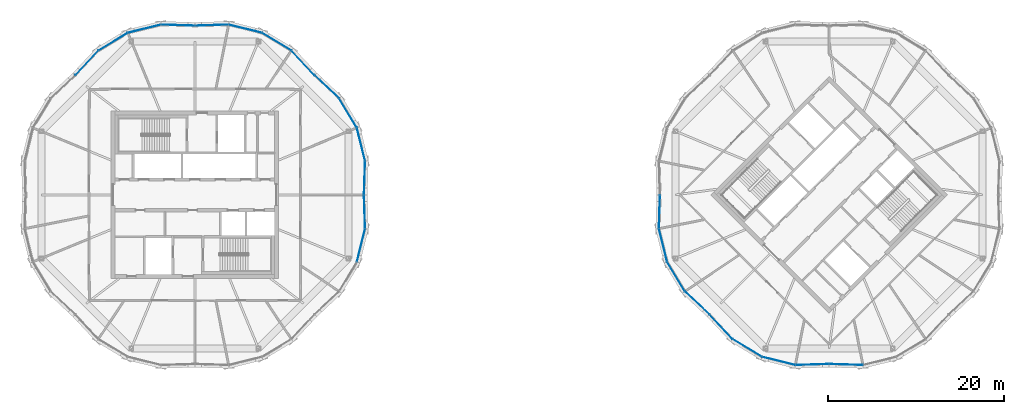
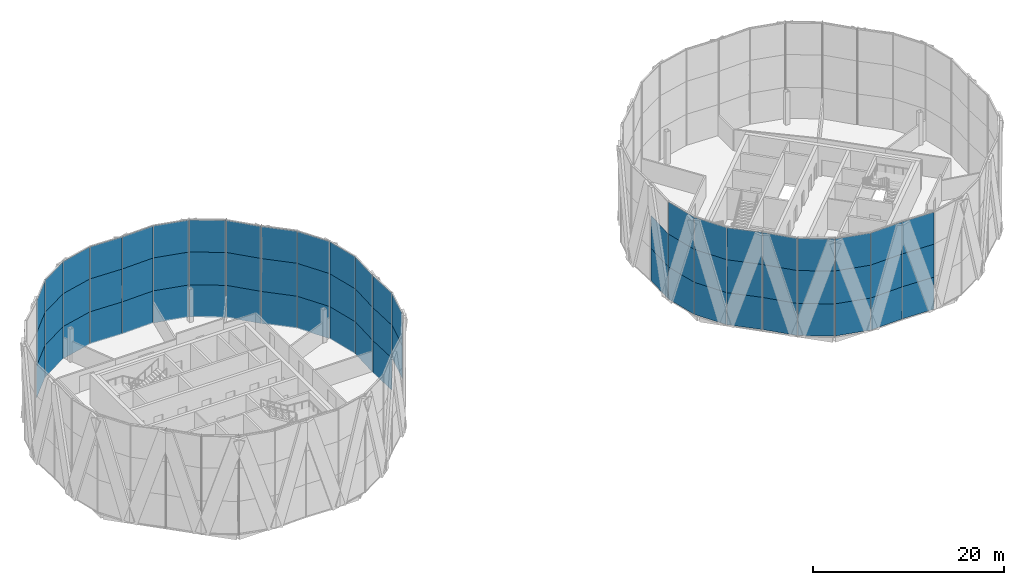
# One storey, part 13 of 23: 67 plates, 7 elements without a shape of their own.
"""IFC4 building model written with IfcOpenShell, lengths in metres."""

from ifc_helpers import new_model, si_unit, direction, frame, origin, origin_2d, place, context, subcontext, project, spatial, rectangle, extrude, material, layer, layer_set, type_object, element, aggregate, save


model = new_model("IFC4")

# Units and contexts
model_context = context("Model", 3, precision=1e-05, world=origin(), true_north=direction((0.0, 1.0)))
body_context = subcontext(model_context, "Body", "Model", "MODEL_VIEW")
ifc_project = project(units=[si_unit("LENGTHUNIT", "METRE"), si_unit("AREAUNIT", "SQUARE_METRE"), si_unit("VOLUMEUNIT", "CUBIC_METRE"), si_unit("PLANEANGLEUNIT", "RADIAN"), si_unit("MASSUNIT", "GRAM", prefix="KILO")], contexts=[model_context])

# Site, building, storey
site_placement = place(None, origin())
site = spatial("IfcSite", under=ifc_project, at=site_placement, CompositionType="ELEMENT")
building_placement = place(site_placement, origin())
building = spatial("IfcBuilding", under=site, at=building_placement, Name="Ogive Gate Towers", CompositionType="ELEMENT")
storey_placement = place(building_placement, frame((0.0, 0.0, 256.199951171875)))
storey = spatial("IfcBuildingStorey", under=building, at=storey_placement, Name="L60", CompositionType="ELEMENT", Elevation=256.199951171875)

# Curtain wall, plates
ifc_material_1 = material(Name="Pale metal aluminium", Category="aluminium")
curtain_wall_type = type_object("IfcCurtainWallType", Name="Tower unitised wall, high zone", PredefinedType="NOTDEFINED", material=ifc_material_1)
curtain_wall_1_placement = place(storey_placement, origin())
curtain_wall_1 = element("IfcCurtainWall", 1, at=curtain_wall_1_placement, inside=storey, type_object=curtain_wall_type, Name="CW2 T1 ECW01", PredefinedType="NOTDEFINED")
ifc_material_2 = material(Name="Clear glass", Category="glass")
ifc_layer = layer(ifc_material_2, 0.028076171875)
ifc_layer_set = layer_set([ifc_layer], Name="Tower unitised wall, high zone glass panel")
plate_type = type_object("IfcPlateType", Name="Tower unitised wall, high zone glass panel", PredefinedType="CURTAIN_PANEL", material=ifc_layer_set)
plate_1_placement = place(storey_placement, frame((-16.738037109375, 1.915283203125, -0.203857421875), z_axis=(0.0, 0.0, 1.0), x_axis=(0.032248092615, 0.999479895007, 0.0)))
plate_1 = element("IfcPlate", 2, at=plate_1_placement, type_object=plate_type, Name="CW2 glass panel", PredefinedType="CURTAIN_PANEL", context=body_context, shape_type="SweptSolid", body=[
    extrude(rectangle(XDim=3.778564453125, YDim=0.028076171875, at=origin_2d()), origin(), (0.0, 0.0, 1.0), 4.10400390625),
])
plate_2_placement = place(storey_placement, frame((-16.738037109375, 1.915283203125, 3.89990234375), z_axis=(0.0, 0.0, 1.0), x_axis=(0.032248092615, 0.999479895007, 0.0)))
plate_2 = element("IfcPlate", 3, at=plate_2_placement, type_object=plate_type, Name="CW2 glass panel", PredefinedType="CURTAIN_PANEL", context=body_context, shape_type="SweptSolid", body=[
    extrude(rectangle(XDim=3.778564453125, YDim=0.028076171875, at=origin_2d()), origin(), (0.0, 0.0, 1.0), 4.199951171875),
])
plate_3_placement = place(storey_placement, frame((-16.738037109375, 1.915283203125, 8.10009765625), z_axis=(0.0, 0.0, 1.0), x_axis=(0.032248092615, 0.999479895007, 0.0)))
plate_3 = element("IfcPlate", 4, at=plate_3_placement, type_object=plate_type, Name="CW2 glass panel", PredefinedType="CURTAIN_PANEL", context=body_context, shape_type="SweptSolid", body=[
    extrude(rectangle(XDim=3.778564453125, YDim=0.028076171875, at=origin_2d()), origin(), (0.0, 0.0, 1.0), 4.10400390625),
])
plate_4_placement = place(storey_placement, frame((-17.14501953125, 5.72509765625, -0.203857421875), z_axis=(0.0, 0.0, 1.0), x_axis=(-0.240668514894, 0.970607369609, 0.0)))
plate_4 = element("IfcPlate", 5, at=plate_4_placement, type_object=plate_type, Name="CW2 glass panel", PredefinedType="CURTAIN_PANEL", context=body_context, shape_type="SweptSolid", body=[
    extrude(rectangle(XDim=3.833984375, YDim=0.028076171875, at=origin_2d()), origin(), (0.0, 0.0, 1.0), 4.10400390625),
])
plate_5_placement = place(storey_placement, frame((-17.14501953125, 5.72509765625, 3.89990234375), z_axis=(0.0, 0.0, 1.0), x_axis=(-0.240668514894, 0.970607369609, 0.0)))
plate_5 = element("IfcPlate", 6, at=plate_5_placement, type_object=plate_type, Name="CW2 glass panel", PredefinedType="CURTAIN_PANEL", context=body_context, shape_type="SweptSolid", body=[
    extrude(rectangle(XDim=3.833984375, YDim=0.028076171875, at=origin_2d()), origin(), (0.0, 0.0, 1.0), 4.199951171875),
])
plate_6_placement = place(storey_placement, frame((-17.14501953125, 5.72509765625, 8.10009765625), z_axis=(0.0, 0.0, 1.0), x_axis=(-0.240668514894, 0.970607369609, 0.0)))
plate_6 = element("IfcPlate", 7, at=plate_6_placement, type_object=plate_type, Name="CW2 glass panel", PredefinedType="CURTAIN_PANEL", context=body_context, shape_type="SweptSolid", body=[
    extrude(rectangle(XDim=3.833984375, YDim=0.028076171875, at=origin_2d()), origin(), (0.0, 0.0, 1.0), 4.10400390625),
])
plate_7_placement = place(storey_placement, frame((-18.619384765625, 9.2841796875, -0.203857421875), z_axis=(0.0, 0.0, 1.0), x_axis=(-0.51614471402, 0.85650139182, 0.0)))
plate_7 = element("IfcPlate", 8, at=plate_7_placement, type_object=plate_type, Name="CW2 glass panel", PredefinedType="CURTAIN_PANEL", context=body_context, shape_type="SweptSolid", body=[
    extrude(rectangle(XDim=3.833984375, YDim=0.028076171875, at=origin_2d()), origin(), (0.0, 0.0, 1.0), 4.10400390625),
])
plate_8_placement = place(storey_placement, frame((-18.619384765625, 9.2841796875, 3.89990234375), z_axis=(0.0, 0.0, 1.0), x_axis=(-0.51614471402, 0.85650139182, 0.0)))
plate_8 = element("IfcPlate", 9, at=plate_8_placement, type_object=plate_type, Name="CW2 glass panel", PredefinedType="CURTAIN_PANEL", context=body_context, shape_type="SweptSolid", body=[
    extrude(rectangle(XDim=3.833984375, YDim=0.028076171875, at=origin_2d()), origin(), (0.0, 0.0, 1.0), 4.199951171875),
])
plate_9_placement = place(storey_placement, frame((-18.619384765625, 9.2841796875, 8.10009765625), z_axis=(0.0, 0.0, 1.0), x_axis=(-0.51614471402, 0.85650139182, 0.0)))
plate_9 = element("IfcPlate", 10, at=plate_9_placement, type_object=plate_type, Name="CW2 glass panel", PredefinedType="CURTAIN_PANEL", context=body_context, shape_type="SweptSolid", body=[
    extrude(rectangle(XDim=3.833984375, YDim=0.028076171875, at=origin_2d()), origin(), (0.0, 0.0, 1.0), 4.10400390625),
])
plate_10_placement = place(storey_placement, frame((-21.025390625, 12.265869140625, -0.203857421875), z_axis=(0.0, 0.0, 1.0), x_axis=(-0.729541856388, 0.68393616645, 0.0)))
plate_10 = element("IfcPlate", 11, at=plate_10_placement, type_object=plate_type, Name="CW2 glass panel", PredefinedType="CURTAIN_PANEL", context=body_context, shape_type="SweptSolid", body=[
    extrude(rectangle(XDim=3.7783203125, YDim=0.028076171875, at=origin_2d()), origin(), (0.0, 0.0, 1.0), 4.10400390625),
])
plate_11_placement = place(storey_placement, frame((-21.025390625, 12.265869140625, 3.89990234375), z_axis=(0.0, 0.0, 1.0), x_axis=(-0.729541856388, 0.68393616645, 0.0)))
plate_11 = element("IfcPlate", 12, at=plate_11_placement, type_object=plate_type, Name="CW2 glass panel", PredefinedType="CURTAIN_PANEL", context=body_context, shape_type="SweptSolid", body=[
    extrude(rectangle(XDim=3.7783203125, YDim=0.028076171875, at=origin_2d()), origin(), (0.0, 0.0, 1.0), 4.199951171875),
])
plate_12_placement = place(storey_placement, frame((-21.025390625, 12.265869140625, 8.10009765625), z_axis=(0.0, 0.0, 1.0), x_axis=(-0.729541856388, 0.68393616645, 0.0)))
plate_12 = element("IfcPlate", 13, at=plate_12_placement, type_object=plate_type, Name="CW2 glass panel", PredefinedType="CURTAIN_PANEL", context=body_context, shape_type="SweptSolid", body=[
    extrude(rectangle(XDim=3.7783203125, YDim=0.028076171875, at=origin_2d()), origin(), (0.0, 0.0, 1.0), 4.10400390625),
])
aggregate(curtain_wall_1, [plate_1, plate_2, plate_3, plate_4, plate_5, plate_6, plate_7, plate_8, plate_9, plate_10, plate_11, plate_12])

curtain_wall_2_placement = place(storey_placement, origin())
curtain_wall_2 = element("IfcCurtainWall", 14, at=curtain_wall_2_placement, inside=storey, type_object=curtain_wall_type, Name="CW2 T1 ECW02", PredefinedType="NOTDEFINED")
plate_13_placement = place(storey_placement, frame((-23.734130859375, 14.974609375, -0.203857421875), z_axis=(0.0, 0.0, 1.0), x_axis=(-0.68393616645, 0.729541856388, 0.0)))
plate_13 = element("IfcPlate", 15, at=plate_13_placement, type_object=plate_type, Name="CW2 glass panel", PredefinedType="CURTAIN_PANEL", context=body_context, shape_type="SweptSolid", body=[
    extrude(rectangle(XDim=3.7783203125, YDim=0.028076171875, at=origin_2d()), origin(), (0.0, 0.0, 1.0), 4.10400390625),
])
plate_14_placement = place(storey_placement, frame((-23.734130859375, 14.974609375, 3.89990234375), z_axis=(0.0, 0.0, 1.0), x_axis=(-0.68393616645, 0.729541856388, 0.0)))
plate_14 = element("IfcPlate", 16, at=plate_14_placement, type_object=plate_type, Name="CW2 glass panel", PredefinedType="CURTAIN_PANEL", context=body_context, shape_type="SweptSolid", body=[
    extrude(rectangle(XDim=3.7783203125, YDim=0.028076171875, at=origin_2d()), origin(), (0.0, 0.0, 1.0), 4.199951171875),
])
plate_15_placement = place(storey_placement, frame((-23.734130859375, 14.974609375, 8.10009765625), z_axis=(0.0, 0.0, 1.0), x_axis=(-0.68393616645, 0.729541856388, 0.0)))
plate_15 = element("IfcPlate", 17, at=plate_15_placement, type_object=plate_type, Name="CW2 glass panel", PredefinedType="CURTAIN_PANEL", context=body_context, shape_type="SweptSolid", body=[
    extrude(rectangle(XDim=3.7783203125, YDim=0.028076171875, at=origin_2d()), origin(), (0.0, 0.0, 1.0), 4.10400390625),
])
plate_16_placement = place(storey_placement, frame((-26.7158203125, 17.380615234375, -0.203857421875), z_axis=(0.0, 0.0, 1.0), x_axis=(-0.85650139182, 0.51614471402, 0.0)))
plate_16 = element("IfcPlate", 18, at=plate_16_placement, type_object=plate_type, Name="CW2 glass panel", PredefinedType="CURTAIN_PANEL", context=body_context, shape_type="SweptSolid", body=[
    extrude(rectangle(XDim=3.833984375, YDim=0.028076171875, at=origin_2d()), origin(), (0.0, 0.0, 1.0), 4.10400390625),
])
plate_17_placement = place(storey_placement, frame((-26.7158203125, 17.380615234375, 3.89990234375), z_axis=(0.0, 0.0, 1.0), x_axis=(-0.85650139182, 0.51614471402, 0.0)))
plate_17 = element("IfcPlate", 19, at=plate_17_placement, type_object=plate_type, Name="CW2 glass panel", PredefinedType="CURTAIN_PANEL", context=body_context, shape_type="SweptSolid", body=[
    extrude(rectangle(XDim=3.833984375, YDim=0.028076171875, at=origin_2d()), origin(), (0.0, 0.0, 1.0), 4.199951171875),
])
plate_18_placement = place(storey_placement, frame((-26.7158203125, 17.380615234375, 8.10009765625), z_axis=(0.0, 0.0, 1.0), x_axis=(-0.85650139182, 0.51614471402, 0.0)))
plate_18 = element("IfcPlate", 20, at=plate_18_placement, type_object=plate_type, Name="CW2 glass panel", PredefinedType="CURTAIN_PANEL", context=body_context, shape_type="SweptSolid", body=[
    extrude(rectangle(XDim=3.833984375, YDim=0.028076171875, at=origin_2d()), origin(), (0.0, 0.0, 1.0), 4.10400390625),
])
plate_19_placement = place(storey_placement, frame((-30.27490234375, 18.85498046875, -0.203857421875), z_axis=(0.0, 0.0, 1.0), x_axis=(-0.970607369609, 0.240668514894, 0.0)))
plate_19 = element("IfcPlate", 21, at=plate_19_placement, type_object=plate_type, Name="CW2 glass panel", PredefinedType="CURTAIN_PANEL", context=body_context, shape_type="SweptSolid", body=[
    extrude(rectangle(XDim=3.833984375, YDim=0.028076171875, at=origin_2d()), origin(), (0.0, 0.0, 1.0), 4.10400390625),
])
plate_20_placement = place(storey_placement, frame((-30.27490234375, 18.85498046875, 3.89990234375), z_axis=(0.0, 0.0, 1.0), x_axis=(-0.970607369609, 0.240668514894, 0.0)))
plate_20 = element("IfcPlate", 22, at=plate_20_placement, type_object=plate_type, Name="CW2 glass panel", PredefinedType="CURTAIN_PANEL", context=body_context, shape_type="SweptSolid", body=[
    extrude(rectangle(XDim=3.833984375, YDim=0.028076171875, at=origin_2d()), origin(), (0.0, 0.0, 1.0), 4.199951171875),
])
plate_21_placement = place(storey_placement, frame((-30.27490234375, 18.85498046875, 8.10009765625), z_axis=(0.0, 0.0, 1.0), x_axis=(-0.970607369609, 0.240668514894, 0.0)))
plate_21 = element("IfcPlate", 23, at=plate_21_placement, type_object=plate_type, Name="CW2 glass panel", PredefinedType="CURTAIN_PANEL", context=body_context, shape_type="SweptSolid", body=[
    extrude(rectangle(XDim=3.833984375, YDim=0.028076171875, at=origin_2d()), origin(), (0.0, 0.0, 1.0), 4.10400390625),
])
plate_22_placement = place(storey_placement, frame((-34.084716796875, 19.261962890625, -0.203857421875), z_axis=(0.0, 0.0, 1.0), x_axis=(-0.999479895007, -0.032248092615, 0.0)))
plate_22 = element("IfcPlate", 24, at=plate_22_placement, type_object=plate_type, Name="CW2 glass panel", PredefinedType="CURTAIN_PANEL", context=body_context, shape_type="SweptSolid", body=[
    extrude(rectangle(XDim=3.778564453125, YDim=0.028076171875, at=origin_2d()), origin(), (0.0, 0.0, 1.0), 4.10400390625),
])
plate_23_placement = place(storey_placement, frame((-34.084716796875, 19.261962890625, 3.89990234375), z_axis=(0.0, 0.0, 1.0), x_axis=(-0.999479895007, -0.032248092615, 0.0)))
plate_23 = element("IfcPlate", 25, at=plate_23_placement, type_object=plate_type, Name="CW2 glass panel", PredefinedType="CURTAIN_PANEL", context=body_context, shape_type="SweptSolid", body=[
    extrude(rectangle(XDim=3.778564453125, YDim=0.028076171875, at=origin_2d()), origin(), (0.0, 0.0, 1.0), 4.199951171875),
])
plate_24_placement = place(storey_placement, frame((-34.084716796875, 19.261962890625, 8.10009765625), z_axis=(0.0, 0.0, 1.0), x_axis=(-0.999479895007, -0.032248092615, 0.0)))
plate_24 = element("IfcPlate", 26, at=plate_24_placement, type_object=plate_type, Name="CW2 glass panel", PredefinedType="CURTAIN_PANEL", context=body_context, shape_type="SweptSolid", body=[
    extrude(rectangle(XDim=3.778564453125, YDim=0.028076171875, at=origin_2d()), origin(), (0.0, 0.0, 1.0), 4.10400390625),
])
aggregate(curtain_wall_2, [plate_13, plate_14, plate_15, plate_16, plate_17, plate_18, plate_19, plate_20, plate_21, plate_22, plate_23, plate_24])

curtain_wall_3_placement = place(storey_placement, origin())
curtain_wall_3 = element("IfcCurtainWall", 27, at=curtain_wall_3_placement, inside=storey, type_object=curtain_wall_type, Name="CW2 T1 ECW03", PredefinedType="NOTDEFINED")
plate_25_placement = place(storey_placement, frame((-37.915283203125, 19.261962890625, -0.203857421875), z_axis=(0.0, 0.0, 1.0), x_axis=(-0.999479895007, 0.032248092615, 0.0)))
plate_25 = element("IfcPlate", 28, at=plate_25_placement, type_object=plate_type, Name="CW2 glass panel", PredefinedType="CURTAIN_PANEL", context=body_context, shape_type="SweptSolid", body=[
    extrude(rectangle(XDim=3.778564453125, YDim=0.028076171875, at=origin_2d()), origin(), (0.0, 0.0, 1.0), 4.10400390625),
])
plate_26_placement = place(storey_placement, frame((-37.915283203125, 19.261962890625, 3.89990234375), z_axis=(0.0, 0.0, 1.0), x_axis=(-0.999479895007, 0.032248092615, 0.0)))
plate_26 = element("IfcPlate", 29, at=plate_26_placement, type_object=plate_type, Name="CW2 glass panel", PredefinedType="CURTAIN_PANEL", context=body_context, shape_type="SweptSolid", body=[
    extrude(rectangle(XDim=3.778564453125, YDim=0.028076171875, at=origin_2d()), origin(), (0.0, 0.0, 1.0), 4.199951171875),
])
plate_27_placement = place(storey_placement, frame((-37.915283203125, 19.261962890625, 8.10009765625), z_axis=(0.0, 0.0, 1.0), x_axis=(-0.999479895007, 0.032248092615, 0.0)))
plate_27 = element("IfcPlate", 30, at=plate_27_placement, type_object=plate_type, Name="CW2 glass panel", PredefinedType="CURTAIN_PANEL", context=body_context, shape_type="SweptSolid", body=[
    extrude(rectangle(XDim=3.778564453125, YDim=0.028076171875, at=origin_2d()), origin(), (0.0, 0.0, 1.0), 4.10400390625),
])
plate_28_placement = place(storey_placement, frame((-41.72509765625, 18.85498046875, -0.203857421875), z_axis=(0.0, 0.0, 1.0), x_axis=(-0.970607369609, -0.240668514894, 0.0)))
plate_28 = element("IfcPlate", 31, at=plate_28_placement, type_object=plate_type, Name="CW2 glass panel", PredefinedType="CURTAIN_PANEL", context=body_context, shape_type="SweptSolid", body=[
    extrude(rectangle(XDim=3.833984375, YDim=0.028076171875, at=origin_2d()), origin(), (0.0, 0.0, 1.0), 4.10400390625),
])
plate_29_placement = place(storey_placement, frame((-41.72509765625, 18.85498046875, 3.89990234375), z_axis=(0.0, 0.0, 1.0), x_axis=(-0.970607369609, -0.240668514894, 0.0)))
plate_29 = element("IfcPlate", 32, at=plate_29_placement, type_object=plate_type, Name="CW2 glass panel", PredefinedType="CURTAIN_PANEL", context=body_context, shape_type="SweptSolid", body=[
    extrude(rectangle(XDim=3.833984375, YDim=0.028076171875, at=origin_2d()), origin(), (0.0, 0.0, 1.0), 4.199951171875),
])
plate_30_placement = place(storey_placement, frame((-41.72509765625, 18.85498046875, 8.10009765625), z_axis=(0.0, 0.0, 1.0), x_axis=(-0.970607369609, -0.240668514894, 0.0)))
plate_30 = element("IfcPlate", 33, at=plate_30_placement, type_object=plate_type, Name="CW2 glass panel", PredefinedType="CURTAIN_PANEL", context=body_context, shape_type="SweptSolid", body=[
    extrude(rectangle(XDim=3.833984375, YDim=0.028076171875, at=origin_2d()), origin(), (0.0, 0.0, 1.0), 4.10400390625),
])
plate_31_placement = place(storey_placement, frame((-45.2841796875, 17.380615234375, -0.203857421875), z_axis=(0.0, 0.0, 1.0), x_axis=(-0.85650139182, -0.51614471402, 0.0)))
plate_31 = element("IfcPlate", 34, at=plate_31_placement, type_object=plate_type, Name="CW2 glass panel", PredefinedType="CURTAIN_PANEL", context=body_context, shape_type="SweptSolid", body=[
    extrude(rectangle(XDim=3.833984375, YDim=0.028076171875, at=origin_2d()), origin(), (0.0, 0.0, 1.0), 4.10400390625),
])
plate_32_placement = place(storey_placement, frame((-45.2841796875, 17.380615234375, 3.89990234375), z_axis=(0.0, 0.0, 1.0), x_axis=(-0.85650139182, -0.51614471402, 0.0)))
plate_32 = element("IfcPlate", 35, at=plate_32_placement, type_object=plate_type, Name="CW2 glass panel", PredefinedType="CURTAIN_PANEL", context=body_context, shape_type="SweptSolid", body=[
    extrude(rectangle(XDim=3.833984375, YDim=0.028076171875, at=origin_2d()), origin(), (0.0, 0.0, 1.0), 4.199951171875),
])
plate_33_placement = place(storey_placement, frame((-45.2841796875, 17.380615234375, 8.10009765625), z_axis=(0.0, 0.0, 1.0), x_axis=(-0.85650139182, -0.51614471402, 0.0)))
plate_33 = element("IfcPlate", 36, at=plate_33_placement, type_object=plate_type, Name="CW2 glass panel", PredefinedType="CURTAIN_PANEL", context=body_context, shape_type="SweptSolid", body=[
    extrude(rectangle(XDim=3.833984375, YDim=0.028076171875, at=origin_2d()), origin(), (0.0, 0.0, 1.0), 4.10400390625),
])
plate_34_placement = place(storey_placement, frame((-48.265869140625, 14.974609375, -0.203857421875), z_axis=(0.0, 0.0, 1.0), x_axis=(-0.68393616645, -0.729541856388, 0.0)))
plate_34 = element("IfcPlate", 37, at=plate_34_placement, type_object=plate_type, Name="CW2 glass panel", PredefinedType="CURTAIN_PANEL", context=body_context, shape_type="SweptSolid", body=[
    extrude(rectangle(XDim=3.7783203125, YDim=0.028076171875, at=origin_2d()), origin(), (0.0, 0.0, 1.0), 4.10400390625),
])
plate_35_placement = place(storey_placement, frame((-48.265869140625, 14.974609375, 3.89990234375), z_axis=(0.0, 0.0, 1.0), x_axis=(-0.68393616645, -0.729541856388, 0.0)))
plate_35 = element("IfcPlate", 38, at=plate_35_placement, type_object=plate_type, Name="CW2 glass panel", PredefinedType="CURTAIN_PANEL", context=body_context, shape_type="SweptSolid", body=[
    extrude(rectangle(XDim=3.7783203125, YDim=0.028076171875, at=origin_2d()), origin(), (0.0, 0.0, 1.0), 4.199951171875),
])
plate_36_placement = place(storey_placement, frame((-48.265869140625, 14.974609375, 8.10009765625), z_axis=(0.0, 0.0, 1.0), x_axis=(-0.68393616645, -0.729541856388, 0.0)))
plate_36 = element("IfcPlate", 39, at=plate_36_placement, type_object=plate_type, Name="CW2 glass panel", PredefinedType="CURTAIN_PANEL", context=body_context, shape_type="SweptSolid", body=[
    extrude(rectangle(XDim=3.7783203125, YDim=0.028076171875, at=origin_2d()), origin(), (0.0, 0.0, 1.0), 4.10400390625),
])
aggregate(curtain_wall_3, [plate_25, plate_26, plate_27, plate_28, plate_29, plate_30, plate_31, plate_32, plate_33, plate_34, plate_35, plate_36])

curtain_wall_4_placement = place(storey_placement, origin())
curtain_wall_4 = element("IfcCurtainWall", 40, at=curtain_wall_4_placement, inside=storey, type_object=curtain_wall_type, Name="CW2 T1 ECW08", PredefinedType="NOTDEFINED")
plate_37_placement = place(storey_placement, frame((-17.14501953125, -5.72509765625, 3.89990234375), z_axis=(0.0, 0.0, 1.0), x_axis=(0.240668514894, 0.970607369609, 0.0)))
plate_37 = element("IfcPlate", 41, at=plate_37_placement, type_object=plate_type, Name="CW2 glass panel", PredefinedType="CURTAIN_PANEL", context=body_context, shape_type="SweptSolid", body=[
    extrude(rectangle(XDim=3.833984375, YDim=0.028076171875, at=origin_2d()), origin(), (0.0, 0.0, 1.0), 4.199951171875),
])
plate_38_placement = place(storey_placement, frame((-17.14501953125, -5.72509765625, 8.10009765625), z_axis=(0.0, 0.0, 1.0), x_axis=(0.240668514894, 0.970607369609, 0.0)))
plate_38 = element("IfcPlate", 42, at=plate_38_placement, type_object=plate_type, Name="CW2 glass panel", PredefinedType="CURTAIN_PANEL", context=body_context, shape_type="SweptSolid", body=[
    extrude(rectangle(XDim=3.833984375, YDim=0.028076171875, at=origin_2d()), origin(), (0.0, 0.0, 1.0), 4.10400390625),
])
plate_39_placement = place(storey_placement, frame((-16.738037109375, -1.915283203125, -0.203857421875), z_axis=(0.0, 0.0, 1.0), x_axis=(-0.032248092615, 0.999479895007, 0.0)))
plate_39 = element("IfcPlate", 43, at=plate_39_placement, type_object=plate_type, Name="CW2 glass panel", PredefinedType="CURTAIN_PANEL", context=body_context, shape_type="SweptSolid", body=[
    extrude(rectangle(XDim=3.778564453125, YDim=0.028076171875, at=origin_2d()), origin(), (0.0, 0.0, 1.0), 4.10400390625),
])
plate_40_placement = place(storey_placement, frame((-16.738037109375, -1.915283203125, 3.89990234375), z_axis=(0.0, 0.0, 1.0), x_axis=(-0.032248092615, 0.999479895007, 0.0)))
plate_40 = element("IfcPlate", 44, at=plate_40_placement, type_object=plate_type, Name="CW2 glass panel", PredefinedType="CURTAIN_PANEL", context=body_context, shape_type="SweptSolid", body=[
    extrude(rectangle(XDim=3.778564453125, YDim=0.028076171875, at=origin_2d()), origin(), (0.0, 0.0, 1.0), 4.199951171875),
])
plate_41_placement = place(storey_placement, frame((-16.738037109375, -1.915283203125, 8.10009765625), z_axis=(0.0, 0.0, 1.0), x_axis=(-0.032248092615, 0.999479895007, 0.0)))
plate_41 = element("IfcPlate", 45, at=plate_41_placement, type_object=plate_type, Name="CW2 glass panel", PredefinedType="CURTAIN_PANEL", context=body_context, shape_type="SweptSolid", body=[
    extrude(rectangle(XDim=3.778564453125, YDim=0.028076171875, at=origin_2d()), origin(), (0.0, 0.0, 1.0), 4.10400390625),
])
aggregate(curtain_wall_4, [plate_37, plate_38, plate_39, plate_40, plate_41])

curtain_wall_5_placement = place(storey_placement, origin())
curtain_wall_5 = element("IfcCurtainWall", 46, at=curtain_wall_5_placement, inside=storey, type_object=curtain_wall_type, Name="CW2 T2 ECW05", PredefinedType="NOTDEFINED")
plate_42_placement = place(storey_placement, frame((16.738037109375, -1.915283203125, -0.203857421875), z_axis=(0.0, 0.0, 1.0), x_axis=(-0.032248092615, -0.999479895007, 0.0)))
plate_42 = element("IfcPlate", 47, at=plate_42_placement, type_object=plate_type, Name="CW2 glass panel", PredefinedType="CURTAIN_PANEL", context=body_context, shape_type="SweptSolid", body=[
    extrude(rectangle(XDim=3.778564453125, YDim=0.028076171875, at=origin_2d()), origin(), (0.0, 0.0, 1.0), 4.10400390625),
])
plate_43_placement = place(storey_placement, frame((16.738037109375, -1.915283203125, 3.89990234375), z_axis=(0.0, 0.0, 1.0), x_axis=(-0.032248092615, -0.999479895007, 0.0)))
plate_43 = element("IfcPlate", 48, at=plate_43_placement, type_object=plate_type, Name="CW2 glass panel", PredefinedType="CURTAIN_PANEL", context=body_context, shape_type="SweptSolid", body=[
    extrude(rectangle(XDim=3.778564453125, YDim=0.028076171875, at=origin_2d()), origin(), (0.0, 0.0, 1.0), 4.199951171875),
])
plate_44_placement = place(storey_placement, frame((17.14501953125, -5.72509765625, -0.203857421875), z_axis=(0.0, 0.0, 1.0), x_axis=(0.240668514894, -0.970607369609, 0.0)))
plate_44 = element("IfcPlate", 49, at=plate_44_placement, type_object=plate_type, Name="CW2 glass panel", PredefinedType="CURTAIN_PANEL", context=body_context, shape_type="SweptSolid", body=[
    extrude(rectangle(XDim=3.833984375, YDim=0.028076171875, at=origin_2d()), origin(), (0.0, 0.0, 1.0), 4.10400390625),
])
plate_45_placement = place(storey_placement, frame((17.14501953125, -5.72509765625, 3.89990234375), z_axis=(0.0, 0.0, 1.0), x_axis=(0.240668514894, -0.970607369609, 0.0)))
plate_45 = element("IfcPlate", 50, at=plate_45_placement, type_object=plate_type, Name="CW2 glass panel", PredefinedType="CURTAIN_PANEL", context=body_context, shape_type="SweptSolid", body=[
    extrude(rectangle(XDim=3.833984375, YDim=0.028076171875, at=origin_2d()), origin(), (0.0, 0.0, 1.0), 4.199951171875),
])
plate_46_placement = place(storey_placement, frame((17.14501953125, -5.72509765625, 8.10009765625), z_axis=(0.0, 0.0, 1.0), x_axis=(0.240668514894, -0.970607369609, 0.0)))
plate_46 = element("IfcPlate", 51, at=plate_46_placement, type_object=plate_type, Name="CW2 glass panel", PredefinedType="CURTAIN_PANEL", context=body_context, shape_type="SweptSolid", body=[
    extrude(rectangle(XDim=3.833984375, YDim=0.028076171875, at=origin_2d()), origin(), (0.0, 0.0, 1.0), 4.10400390625),
])
plate_47_placement = place(storey_placement, frame((18.619384765625, -9.2841796875, -0.203857421875), z_axis=(0.0, 0.0, 1.0), x_axis=(0.51614471402, -0.85650139182, 0.0)))
plate_47 = element("IfcPlate", 52, at=plate_47_placement, type_object=plate_type, Name="CW2 glass panel", PredefinedType="CURTAIN_PANEL", context=body_context, shape_type="SweptSolid", body=[
    extrude(rectangle(XDim=3.833984375, YDim=0.028076171875, at=origin_2d()), origin(), (0.0, 0.0, 1.0), 4.10400390625),
])
plate_48_placement = place(storey_placement, frame((18.619384765625, -9.2841796875, 3.89990234375), z_axis=(0.0, 0.0, 1.0), x_axis=(0.51614471402, -0.85650139182, 0.0)))
plate_48 = element("IfcPlate", 53, at=plate_48_placement, type_object=plate_type, Name="CW2 glass panel", PredefinedType="CURTAIN_PANEL", context=body_context, shape_type="SweptSolid", body=[
    extrude(rectangle(XDim=3.833984375, YDim=0.028076171875, at=origin_2d()), origin(), (0.0, 0.0, 1.0), 4.199951171875),
])
plate_49_placement = place(storey_placement, frame((18.619384765625, -9.2841796875, 8.10009765625), z_axis=(0.0, 0.0, 1.0), x_axis=(0.51614471402, -0.85650139182, 0.0)))
plate_49 = element("IfcPlate", 54, at=plate_49_placement, type_object=plate_type, Name="CW2 glass panel", PredefinedType="CURTAIN_PANEL", context=body_context, shape_type="SweptSolid", body=[
    extrude(rectangle(XDim=3.833984375, YDim=0.028076171875, at=origin_2d()), origin(), (0.0, 0.0, 1.0), 4.10400390625),
])
plate_50_placement = place(storey_placement, frame((21.025390625, -12.265869140625, -0.203857421875), z_axis=(0.0, 0.0, 1.0), x_axis=(0.729541856388, -0.68393616645, 0.0)))
plate_50 = element("IfcPlate", 55, at=plate_50_placement, type_object=plate_type, Name="CW2 glass panel", PredefinedType="CURTAIN_PANEL", context=body_context, shape_type="SweptSolid", body=[
    extrude(rectangle(XDim=3.7783203125, YDim=0.028076171875, at=origin_2d()), origin(), (0.0, 0.0, 1.0), 4.10400390625),
])
plate_51_placement = place(storey_placement, frame((21.025390625, -12.265869140625, 3.89990234375), z_axis=(0.0, 0.0, 1.0), x_axis=(0.729541856388, -0.68393616645, 0.0)))
plate_51 = element("IfcPlate", 56, at=plate_51_placement, type_object=plate_type, Name="CW2 glass panel", PredefinedType="CURTAIN_PANEL", context=body_context, shape_type="SweptSolid", body=[
    extrude(rectangle(XDim=3.7783203125, YDim=0.028076171875, at=origin_2d()), origin(), (0.0, 0.0, 1.0), 4.199951171875),
])
plate_52_placement = place(storey_placement, frame((21.025390625, -12.265869140625, 8.10009765625), z_axis=(0.0, 0.0, 1.0), x_axis=(0.729541856388, -0.68393616645, 0.0)))
plate_52 = element("IfcPlate", 57, at=plate_52_placement, type_object=plate_type, Name="CW2 glass panel", PredefinedType="CURTAIN_PANEL", context=body_context, shape_type="SweptSolid", body=[
    extrude(rectangle(XDim=3.7783203125, YDim=0.028076171875, at=origin_2d()), origin(), (0.0, 0.0, 1.0), 4.10400390625),
])
aggregate(curtain_wall_5, [plate_42, plate_43, plate_44, plate_45, plate_46, plate_47, plate_48, plate_49, plate_50, plate_51, plate_52])

curtain_wall_6_placement = place(storey_placement, origin())
curtain_wall_6 = element("IfcCurtainWall", 58, at=curtain_wall_6_placement, inside=storey, type_object=curtain_wall_type, Name="CW2 T2 ECW06", PredefinedType="NOTDEFINED")
plate_53_placement = place(storey_placement, frame((23.734130859375, -14.974609375, -0.203857421875), z_axis=(0.0, 0.0, 1.0), x_axis=(0.68393616645, -0.729541856388, 0.0)))
plate_53 = element("IfcPlate", 59, at=plate_53_placement, type_object=plate_type, Name="CW2 glass panel", PredefinedType="CURTAIN_PANEL", context=body_context, shape_type="SweptSolid", body=[
    extrude(rectangle(XDim=3.7783203125, YDim=0.028076171875, at=origin_2d()), origin(), (0.0, 0.0, 1.0), 4.10400390625),
])
plate_54_placement = place(storey_placement, frame((23.734130859375, -14.974609375, 3.89990234375), z_axis=(0.0, 0.0, 1.0), x_axis=(0.68393616645, -0.729541856388, 0.0)))
plate_54 = element("IfcPlate", 60, at=plate_54_placement, type_object=plate_type, Name="CW2 glass panel", PredefinedType="CURTAIN_PANEL", context=body_context, shape_type="SweptSolid", body=[
    extrude(rectangle(XDim=3.7783203125, YDim=0.028076171875, at=origin_2d()), origin(), (0.0, 0.0, 1.0), 4.199951171875),
])
plate_55_placement = place(storey_placement, frame((23.734130859375, -14.974609375, 8.10009765625), z_axis=(0.0, 0.0, 1.0), x_axis=(0.68393616645, -0.729541856388, 0.0)))
plate_55 = element("IfcPlate", 61, at=plate_55_placement, type_object=plate_type, Name="CW2 glass panel", PredefinedType="CURTAIN_PANEL", context=body_context, shape_type="SweptSolid", body=[
    extrude(rectangle(XDim=3.7783203125, YDim=0.028076171875, at=origin_2d()), origin(), (0.0, 0.0, 1.0), 4.10400390625),
])
plate_56_placement = place(storey_placement, frame((26.7158203125, -17.380615234375, -0.203857421875), z_axis=(0.0, 0.0, 1.0), x_axis=(0.85650139182, -0.51614471402, 0.0)))
plate_56 = element("IfcPlate", 62, at=plate_56_placement, type_object=plate_type, Name="CW2 glass panel", PredefinedType="CURTAIN_PANEL", context=body_context, shape_type="SweptSolid", body=[
    extrude(rectangle(XDim=3.833984375, YDim=0.028076171875, at=origin_2d()), origin(), (0.0, 0.0, 1.0), 4.10400390625),
])
plate_57_placement = place(storey_placement, frame((26.7158203125, -17.380615234375, 3.89990234375), z_axis=(0.0, 0.0, 1.0), x_axis=(0.85650139182, -0.51614471402, 0.0)))
plate_57 = element("IfcPlate", 63, at=plate_57_placement, type_object=plate_type, Name="CW2 glass panel", PredefinedType="CURTAIN_PANEL", context=body_context, shape_type="SweptSolid", body=[
    extrude(rectangle(XDim=3.833984375, YDim=0.028076171875, at=origin_2d()), origin(), (0.0, 0.0, 1.0), 4.199951171875),
])
plate_58_placement = place(storey_placement, frame((26.7158203125, -17.380615234375, 8.10009765625), z_axis=(0.0, 0.0, 1.0), x_axis=(0.85650139182, -0.51614471402, 0.0)))
plate_58 = element("IfcPlate", 64, at=plate_58_placement, type_object=plate_type, Name="CW2 glass panel", PredefinedType="CURTAIN_PANEL", context=body_context, shape_type="SweptSolid", body=[
    extrude(rectangle(XDim=3.833984375, YDim=0.028076171875, at=origin_2d()), origin(), (0.0, 0.0, 1.0), 4.10400390625),
])
plate_59_placement = place(storey_placement, frame((30.27490234375, -18.85498046875, -0.203857421875), z_axis=(0.0, 0.0, 1.0), x_axis=(0.970607369609, -0.240668514894, 0.0)))
plate_59 = element("IfcPlate", 65, at=plate_59_placement, type_object=plate_type, Name="CW2 glass panel", PredefinedType="CURTAIN_PANEL", context=body_context, shape_type="SweptSolid", body=[
    extrude(rectangle(XDim=3.833984375, YDim=0.028076171875, at=origin_2d()), origin(), (0.0, 0.0, 1.0), 4.10400390625),
])
plate_60_placement = place(storey_placement, frame((30.27490234375, -18.85498046875, 3.89990234375), z_axis=(0.0, 0.0, 1.0), x_axis=(0.970607369609, -0.240668514894, 0.0)))
plate_60 = element("IfcPlate", 66, at=plate_60_placement, type_object=plate_type, Name="CW2 glass panel", PredefinedType="CURTAIN_PANEL", context=body_context, shape_type="SweptSolid", body=[
    extrude(rectangle(XDim=3.833984375, YDim=0.028076171875, at=origin_2d()), origin(), (0.0, 0.0, 1.0), 4.199951171875),
])
plate_61_placement = place(storey_placement, frame((30.27490234375, -18.85498046875, 8.10009765625), z_axis=(0.0, 0.0, 1.0), x_axis=(0.970607369609, -0.240668514894, 0.0)))
plate_61 = element("IfcPlate", 67, at=plate_61_placement, type_object=plate_type, Name="CW2 glass panel", PredefinedType="CURTAIN_PANEL", context=body_context, shape_type="SweptSolid", body=[
    extrude(rectangle(XDim=3.833984375, YDim=0.028076171875, at=origin_2d()), origin(), (0.0, 0.0, 1.0), 4.10400390625),
])
plate_62_placement = place(storey_placement, frame((34.084716796875, -19.261962890625, -0.203857421875), z_axis=(0.0, 0.0, 1.0), x_axis=(0.999479895007, 0.032248092615, 0.0)))
plate_62 = element("IfcPlate", 68, at=plate_62_placement, type_object=plate_type, Name="CW2 glass panel", PredefinedType="CURTAIN_PANEL", context=body_context, shape_type="SweptSolid", body=[
    extrude(rectangle(XDim=3.778564453125, YDim=0.028076171875, at=origin_2d()), origin(), (0.0, 0.0, 1.0), 4.10400390625),
])
plate_63_placement = place(storey_placement, frame((34.084716796875, -19.261962890625, 3.89990234375), z_axis=(0.0, 0.0, 1.0), x_axis=(0.999479895007, 0.032248092615, 0.0)))
plate_63 = element("IfcPlate", 69, at=plate_63_placement, type_object=plate_type, Name="CW2 glass panel", PredefinedType="CURTAIN_PANEL", context=body_context, shape_type="SweptSolid", body=[
    extrude(rectangle(XDim=3.778564453125, YDim=0.028076171875, at=origin_2d()), origin(), (0.0, 0.0, 1.0), 4.199951171875),
])
plate_64_placement = place(storey_placement, frame((34.084716796875, -19.261962890625, 8.10009765625), z_axis=(0.0, 0.0, 1.0), x_axis=(0.999479895007, 0.032248092615, 0.0)))
plate_64 = element("IfcPlate", 70, at=plate_64_placement, type_object=plate_type, Name="CW2 glass panel", PredefinedType="CURTAIN_PANEL", context=body_context, shape_type="SweptSolid", body=[
    extrude(rectangle(XDim=3.778564453125, YDim=0.028076171875, at=origin_2d()), origin(), (0.0, 0.0, 1.0), 4.10400390625),
])
aggregate(curtain_wall_6, [plate_53, plate_54, plate_55, plate_56, plate_57, plate_58, plate_59, plate_60, plate_61, plate_62, plate_63, plate_64])

curtain_wall_7_placement = place(storey_placement, origin())
curtain_wall_7 = element("IfcCurtainWall", 71, at=curtain_wall_7_placement, inside=storey, type_object=curtain_wall_type, Name="CW2 T2 ECW07", PredefinedType="NOTDEFINED")
plate_65_placement = place(storey_placement, frame((37.915283203125, -19.261962890625, -0.203857421875), z_axis=(0.0, 0.0, 1.0), x_axis=(0.999479895007, -0.032248092615, 0.0)))
plate_65 = element("IfcPlate", 72, at=plate_65_placement, type_object=plate_type, Name="CW2 glass panel", PredefinedType="CURTAIN_PANEL", context=body_context, shape_type="SweptSolid", body=[
    extrude(rectangle(XDim=3.778564453125, YDim=0.028076171875, at=origin_2d()), origin(), (0.0, 0.0, 1.0), 4.10400390625),
])
plate_66_placement = place(storey_placement, frame((37.915283203125, -19.261962890625, 3.89990234375), z_axis=(0.0, 0.0, 1.0), x_axis=(0.999479895007, -0.032248092615, 0.0)))
plate_66 = element("IfcPlate", 73, at=plate_66_placement, type_object=plate_type, Name="CW2 glass panel", PredefinedType="CURTAIN_PANEL", context=body_context, shape_type="SweptSolid", body=[
    extrude(rectangle(XDim=3.778564453125, YDim=0.028076171875, at=origin_2d()), origin(), (0.0, 0.0, 1.0), 4.199951171875),
])
plate_67_placement = place(storey_placement, frame((37.915283203125, -19.261962890625, 8.10009765625), z_axis=(0.0, 0.0, 1.0), x_axis=(0.999479895007, -0.032248092615, 0.0)))
plate_67 = element("IfcPlate", 74, at=plate_67_placement, type_object=plate_type, Name="CW2 glass panel", PredefinedType="CURTAIN_PANEL", context=body_context, shape_type="SweptSolid", body=[
    extrude(rectangle(XDim=3.778564453125, YDim=0.028076171875, at=origin_2d()), origin(), (0.0, 0.0, 1.0), 4.10400390625),
])
aggregate(curtain_wall_7, [plate_65, plate_66, plate_67])

save(model, "model.ifc")
